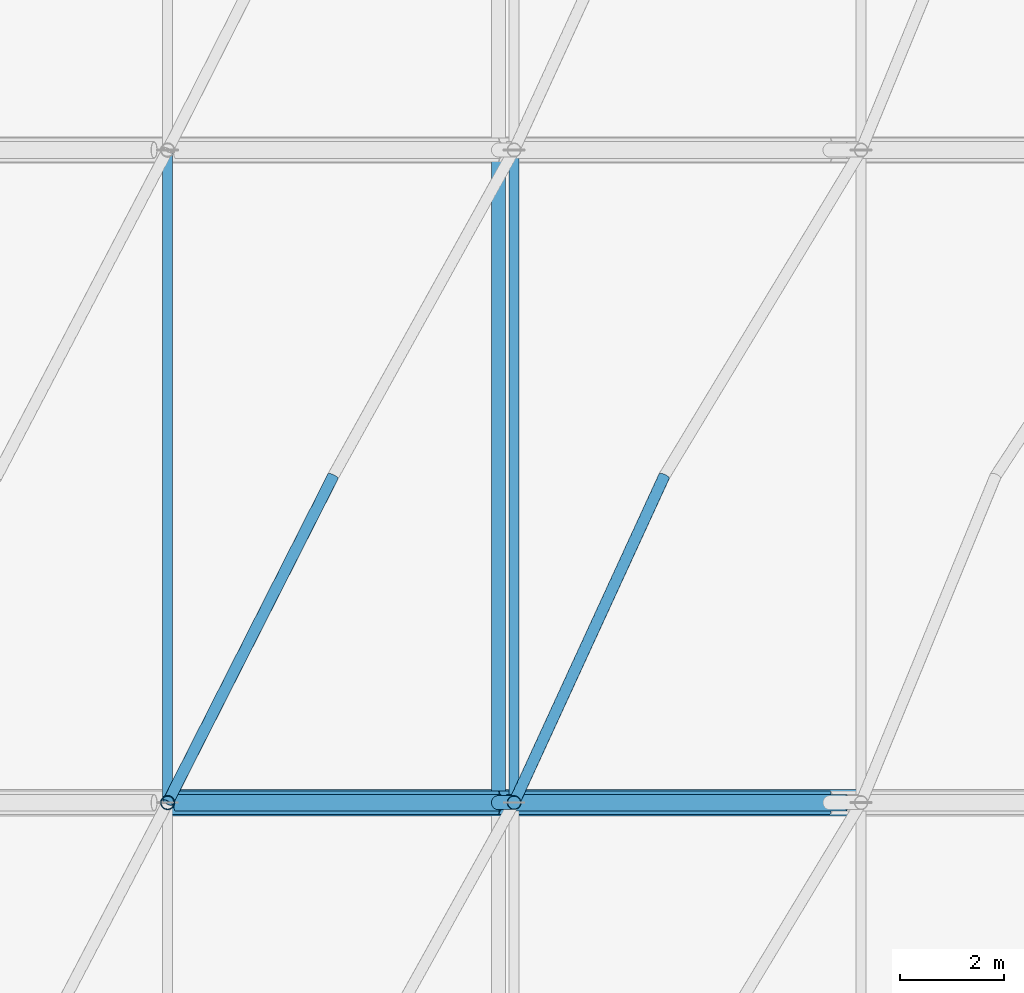
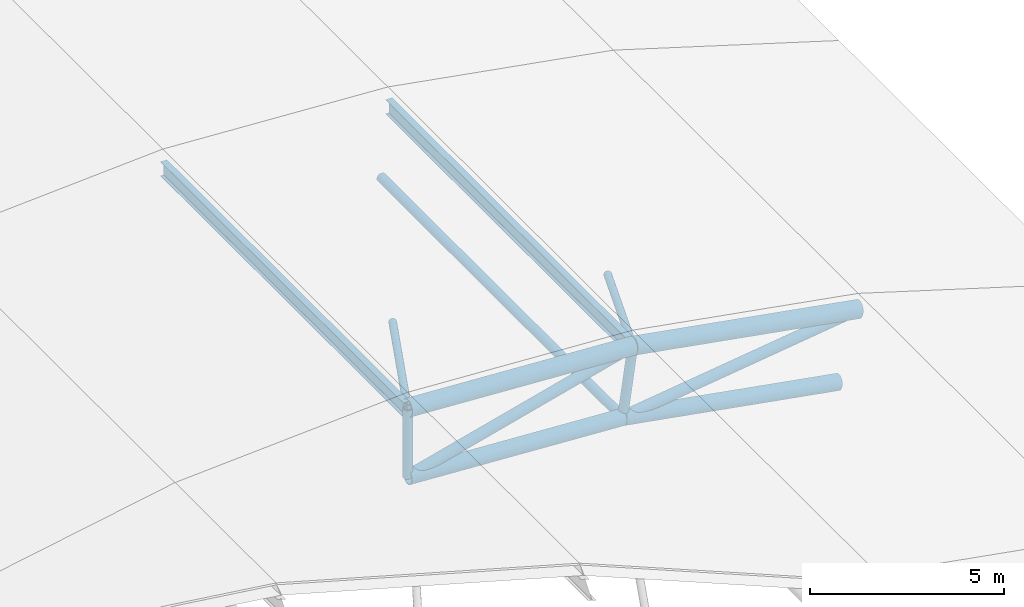
# One storey, part 4 of 18: 13 members.
"""IFC4 building model written with IfcOpenShell, lengths in metres."""

from ifc_helpers import new_model, si_unit, derived_unit, direction, frame, origin, origin_2d, place, context, subcontext, project, spatial, hollow_circle, i_section, extrude, material, material_profile, profile_set, type_object, element, save


model = new_model("IFC4")

# Units and contexts
model_context = context("Model", 3, precision=1e-05, world=origin(), true_north=direction((0.0, 1.0)))
body_context = subcontext(model_context, "Body", "Model", "MODEL_VIEW")
ifc_project = project(units=[si_unit("LENGTHUNIT", "METRE"), si_unit("AREAUNIT", "SQUARE_METRE"), si_unit("VOLUMEUNIT", "CUBIC_METRE"), si_unit("PLANEANGLEUNIT", "RADIAN"), si_unit("MASSUNIT", "GRAM", prefix="KILO"), derived_unit("THERMALTRANSMITTANCEUNIT", [(si_unit("MASSUNIT", "GRAM", prefix="KILO"), 1), (si_unit("TIMEUNIT", "SECOND"), -3), (si_unit("THERMODYNAMICTEMPERATUREUNIT", "KELVIN"), -1)])], contexts=[model_context])

# Site, building, storey
site_placement = place(None, origin())
site = spatial("IfcSite", under=ifc_project, at=site_placement, CompositionType="ELEMENT")
building_placement = place(site_placement, origin())
building = spatial("IfcBuilding", under=site, at=building_placement, Name="Valcora Ridge Arena", CompositionType="ELEMENT")
storey_placement = place(building_placement, frame((0.0, 0.0, 39.800048828125)))
storey = spatial("IfcBuildingStorey", under=building, at=storey_placement, Name="RF", CompositionType="ELEMENT", Elevation=39.800048828125)

# Members
ifc_material_1 = material(Name="Steel ASTM A572 Grade 50", Category="steel")
ifc_material_profile_1 = material_profile(ifc_material_1, i_section(OverallWidth=0.18994140625, OverallDepth=0.45703125, WebThickness=0.009033203125, FlangeThickness=0.014404296875, FilletRadius=0.014892578125, at=origin_2d()), Name="W18X50")
ifc_profile_set_1 = profile_set([ifc_material_profile_1], Name="Steel ASTM A572 Grade 50")
member_type_1 = type_object("IfcMemberType", Name="TY-MEMBER-PUR-W18X50", PredefinedType="PURLIN", material=ifc_profile_set_1)
for number, where, z_axis, x_axis, name in (
    (1, (55.81005859375, 45.25, 1.07958984375), (0.0, 1.0, 0.0), (-1.0, 0.0, 0.0), "PUR-W18X50 SF-PR-PUR-W18X50-0030"),
    (2, (62.5, 45.25, 0.68603515625), (0.0, 1.0, 0.0), (-1.0, 0.0, 0.0), "PUR-W18X50 SF-PR-PUR-W18X50-0031"),
):
    element("IfcMember", number, at=place(storey_placement, frame(where, z_axis=z_axis, x_axis=x_axis)), inside=storey, type_object=member_type_1, Name=name, PredefinedType="PURLIN", context=body_context, shape_type="SweptSolid", body=[
        extrude(i_section(OverallWidth=0.18994140625, OverallDepth=0.45703125, WebThickness=0.009033203125, FlangeThickness=0.014404296875, FilletRadius=0.014892578125, at=origin_2d()), origin(), (0.0, 0.0, 1.0), 12.5),
    ])
ifc_material_2 = material(Name="Steel ASTM A500 Grade C", Category="steel")
ifc_material_profile_2 = material_profile(ifc_material_2, hollow_circle(Radius=0.228515625, WallThickness=0.01611328125, at=origin_2d()), Name="CHS457X16")
ifc_profile_set_2 = profile_set([ifc_material_profile_2], Name="Steel ASTM A500 Grade C")
member_type_2 = type_object("IfcMemberType", Name="TY-MEMBER-SFBC-457", PredefinedType="CHORD", material=ifc_profile_set_2)
member_1_placement = place(storey_placement, frame((55.81005859375, 45.199951171875, -1.0), z_axis=(0.998298890165, 0.0, -0.058303738263), x_axis=(0.0, 1.0, 0.0)))
element("IfcMember", 3, at=member_1_placement, inside=storey, type_object=member_type_2, Name="SFBC-457 Space Frame Bottom Chord", PredefinedType="CHORD", context=body_context, shape_type="SweptSolid", body=[
    extrude(hollow_circle(Radius=0.228515625, WallThickness=0.01611328125, at=origin_2d()), origin(), (0.0, 0.0, 1.0), 6.3984375),
])
member_2_placement = place(storey_placement, frame((62.197509765625, 45.199951171875, -1.373046875), z_axis=(0.98458279147, 0.0, -0.174919200607), x_axis=(0.0, 1.0, 0.0)))
element("IfcMember", 4, at=member_2_placement, inside=storey, type_object=member_type_2, Name="SFBC-457 Space Frame Bottom Chord", PredefinedType="CHORD", context=body_context, shape_type="SweptSolid", body=[
    extrude(hollow_circle(Radius=0.228515625, WallThickness=0.01611328125, at=origin_2d()), origin(), (0.0, 0.0, 1.0), 6.4970703125),
])
ifc_material_profile_3 = material_profile(ifc_material_2, hollow_circle(Radius=0.136474609375, WallThickness=0.012451171875, at=origin_2d()), Name="CHS273X12")
ifc_profile_set_3 = profile_set([ifc_material_profile_3], Name="Steel ASTM A500 Grade C")
member_type_3 = type_object("IfcMemberType", Name="TY-MEMBER-SFBT-273", PredefinedType="STRUT", material=ifc_profile_set_3)
member_3_placement = place(storey_placement, frame((62.197509765625, 45.3798828125, -1.373046875), z_axis=(0.0, 1.0, 0.0), x_axis=(-1.0, 0.0, 0.0)))
element("IfcMember", 5, at=member_3_placement, inside=storey, type_object=member_type_3, Name="SFBT-273 Space Frame Bottom Strut", PredefinedType="STRUT", context=body_context, shape_type="SweptSolid", body=[
    extrude(hollow_circle(Radius=0.136474609375, WallThickness=0.012451171875, at=origin_2d()), origin(), (0.0, 0.0, 1.0), 12.240234375),
])
ifc_material_profile_4 = material_profile(ifc_material_2, hollow_circle(Radius=0.136474609375, WallThickness=0.012451171875, at=origin_2d()), Name="CHS273X12")
ifc_profile_set_4 = profile_set([ifc_material_profile_4], Name="Steel ASTM A500 Grade C")
member_type_4 = type_object("IfcMemberType", Name="TY-MEMBER-SFKP-273", PredefinedType="POST", material=ifc_profile_set_4)
member_4_placement = place(storey_placement, frame((55.81005859375, 45.199951171875, -1.0), z_axis=(0.0, 0.0, 1.0), x_axis=(1.0, 0.0, 0.0)))
element("IfcMember", 6, at=member_4_placement, inside=storey, type_object=member_type_4, Name="SFKP-273 Space Frame King Post", PredefinedType="POST", context=body_context, shape_type="SweptSolid", body=[
    extrude(hollow_circle(Radius=0.136474609375, WallThickness=0.012451171875, at=origin_2d()), origin(), (0.0, 0.0, 1.0), 2.14990234375),
])
member_5_placement = place(storey_placement, frame((62.197509765625, 45.199951171875, -1.373046875), z_axis=(0.140453193158, 0.0, 0.99008731965), x_axis=(0.0, 1.0, 0.0)))
element("IfcMember", 7, at=member_5_placement, inside=storey, type_object=member_type_4, Name="SFKP-273 Space Frame King Post", PredefinedType="POST", context=body_context, shape_type="SweptSolid", body=[
    extrude(hollow_circle(Radius=0.136474609375, WallThickness=0.012451171875, at=origin_2d()), origin(), (0.0, 0.0, 1.0), 2.153564453125),
])
ifc_material_profile_5 = material_profile(ifc_material_2, hollow_circle(Radius=0.109619140625, WallThickness=0.010009765625, at=origin_2d()), Name="CHS219X10")
ifc_profile_set_5 = profile_set([ifc_material_profile_5], Name="Steel ASTM A500 Grade C")
member_type_5 = type_object("IfcMemberType", Name="TY-MEMBER-SFST-219", PredefinedType="STRUT", material=ifc_profile_set_5)
member_6_placement = place(storey_placement, frame((59.003662109375, 51.5, -1.093017578125), z_axis=(-0.430937331995, -0.850113741466, 0.302654328341), x_axis=(0.891945642305, -0.452142644719, 0.0)))
element("IfcMember", 8, at=member_6_placement, inside=storey, type_object=member_type_5, Name="SFST-219 Space Frame Tie Strut", PredefinedType="STRUT", context=body_context, shape_type="SweptSolid", body=[
    extrude(hollow_circle(Radius=0.109619140625, WallThickness=0.010009765625, at=origin_2d()), origin(), (0.0, 0.0, 1.0), 7.410888671875),
])
member_7_placement = place(storey_placement, frame((65.39599609375, 51.5, -1.843505859375), z_axis=(-0.3910228866, -0.850644544657, 0.351432725851), x_axis=(0.908601375481, -0.417664387365, 0.0)))
element("IfcMember", 9, at=member_7_placement, inside=storey, type_object=member_type_5, Name="SFST-219 Space Frame Tie Strut", PredefinedType="STRUT", context=body_context, shape_type="SweptSolid", body=[
    extrude(hollow_circle(Radius=0.109619140625, WallThickness=0.010009765625, at=origin_2d()), origin(), (0.0, 0.0, 1.0), 7.40625),
])
ifc_material_profile_6 = material_profile(ifc_material_2, hollow_circle(Radius=0.25390625, WallThickness=0.01611328125, at=origin_2d()), Name="CHS508X16")
ifc_profile_set_6 = profile_set([ifc_material_profile_6], Name="Steel ASTM A500 Grade C")
member_type_6 = type_object("IfcMemberType", Name="TY-MEMBER-SFTC-508", PredefinedType="CHORD", material=ifc_profile_set_6)
member_8_placement = place(storey_placement, frame((55.81005859375, 45.199951171875, 1.14990234375), z_axis=(0.998299656479, 0.0, -0.058290615662), x_axis=(0.0, 1.0, 0.0)))
element("IfcMember", 10, at=member_8_placement, inside=storey, type_object=member_type_6, Name="SFTC-508 Space Frame Top Chord", PredefinedType="CHORD", context=body_context, shape_type="SweptSolid", body=[
    extrude(hollow_circle(Radius=0.25390625, WallThickness=0.01611328125, at=origin_2d()), origin(), (0.0, 0.0, 1.0), 6.701416015625),
])
member_9_placement = place(storey_placement, frame((62.5, 45.199951171875, 0.75927734375), z_axis=(0.984585719015, 0.0, -0.174902721284), x_axis=(0.0, 1.0, 0.0)))
element("IfcMember", 11, at=member_9_placement, inside=storey, type_object=member_type_6, Name="SFTC-508 Space Frame Top Chord", PredefinedType="CHORD", context=body_context, shape_type="SweptSolid", body=[
    extrude(hollow_circle(Radius=0.25390625, WallThickness=0.01611328125, at=origin_2d()), origin(), (0.0, 0.0, 1.0), 6.804931640625),
])
ifc_material_profile_7 = material_profile(ifc_material_2, hollow_circle(Radius=0.161865234375, WallThickness=0.012451171875, at=origin_2d()), Name="CHS323X12")
ifc_profile_set_7 = profile_set([ifc_material_profile_7], Name="Steel ASTM A500 Grade C")
member_type_7 = type_object("IfcMemberType", Name="TY-MEMBER-SFWB-323", PredefinedType="BRACE", material=ifc_profile_set_7)
member_10_placement = place(storey_placement, frame((55.964599609375, 45.199951171875, -0.959228515625), z_axis=(0.967117485825, 0.0, 0.254330038751), x_axis=(0.0, 1.0, 0.0)))
element("IfcMember", 12, at=member_10_placement, inside=storey, type_object=member_type_7, Name="SFWB-323 Space Frame Diagonal Brace", PredefinedType="BRACE", context=body_context, shape_type="SweptSolid", body=[
    extrude(hollow_circle(Radius=0.161865234375, WallThickness=0.012451171875, at=origin_2d()), origin(), (0.0, 0.0, 1.0), 6.4775390625),
])
member_11_placement = place(storey_placement, frame((62.356201171875, 45.199951171875, -1.3515625), z_axis=(0.991073399433, 0.0, 0.133317354222), x_axis=(0.0, 1.0, 0.0)))
element("IfcMember", 13, at=member_11_placement, inside=storey, type_object=member_type_7, Name="SFWB-323 Space Frame Diagonal Brace", PredefinedType="BRACE", context=body_context, shape_type="SweptSolid", body=[
    extrude(hollow_circle(Radius=0.161865234375, WallThickness=0.012451171875, at=origin_2d()), origin(), (0.0, 0.0, 1.0), 6.62548828125),
])

save(model, "model.ifc")
